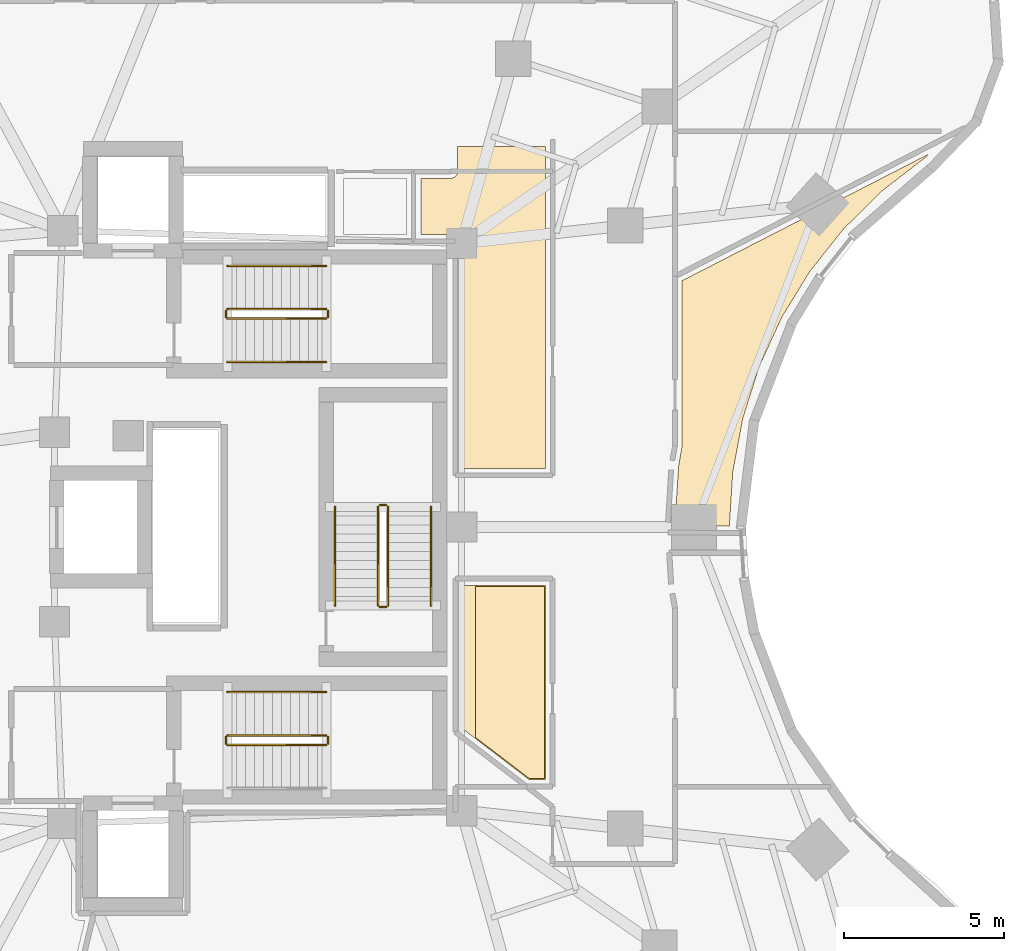
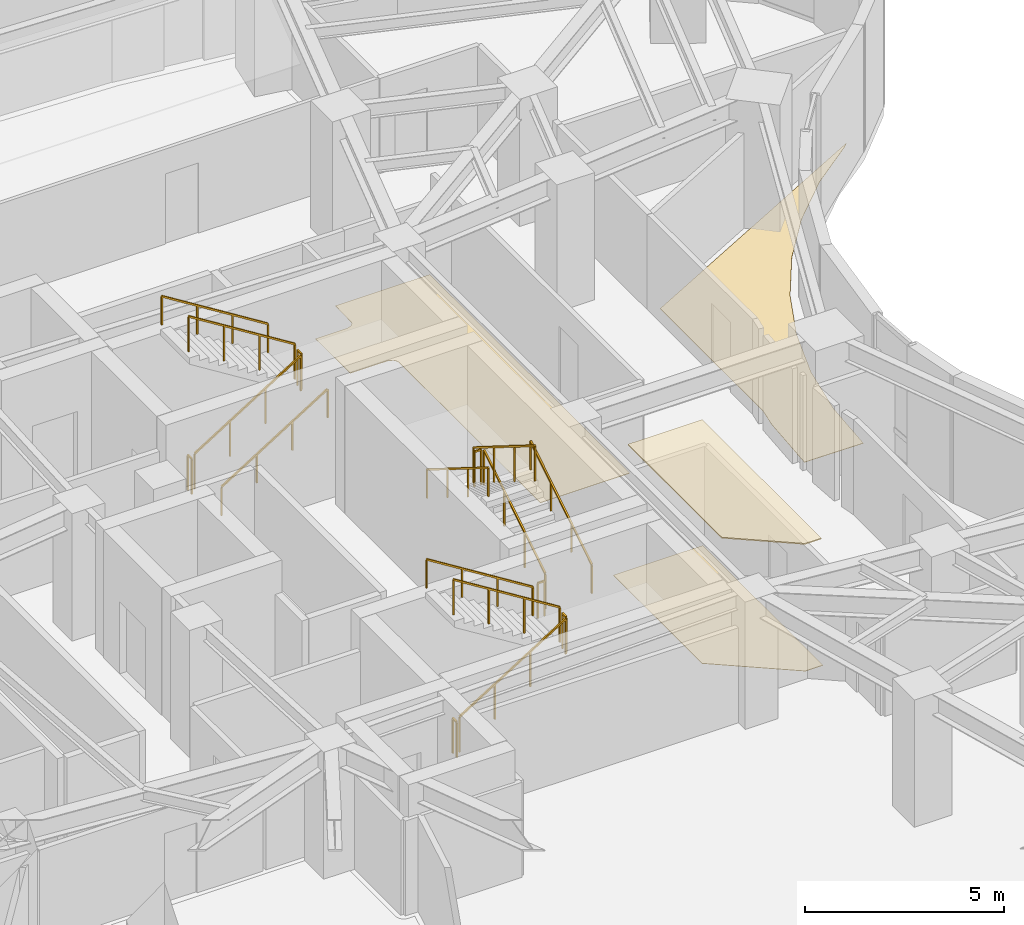
# One storey, part 14 of 15: 17 railings, 4 coverings.
"""IFC4 building model written with IfcOpenShell, lengths in metres."""

from ifc_helpers import new_model, si_unit, direction, frame, origin, origin_2d, place, context, subcontext, project, spatial, polyline, rectangle, outline, extrude, material, layer, layer_set, type_object, element, save


model = new_model("IFC4")

# Units and contexts
model_context = context("Model", 3, precision=1e-05, world=origin(), true_north=direction((0.0, 1.0)))
body_context = subcontext(model_context, "Body", "Model", "MODEL_VIEW")
ifc_project = project(units=[si_unit("LENGTHUNIT", "METRE"), si_unit("AREAUNIT", "SQUARE_METRE"), si_unit("VOLUMEUNIT", "CUBIC_METRE"), si_unit("PLANEANGLEUNIT", "RADIAN"), si_unit("MASSUNIT", "GRAM", prefix="KILO")], contexts=[model_context])

# Site, building, storey
site_placement = place(None, origin())
site = spatial("IfcSite", under=ifc_project, at=site_placement, CompositionType="ELEMENT")
building_placement = place(site_placement, origin())
building = spatial("IfcBuilding", under=site, at=building_placement, Name="Korentha Bioscience Tower", CompositionType="ELEMENT")
storey_placement = place(building_placement, frame((0.0, 0.0, 30.0)))
storey = spatial("IfcBuildingStorey", under=building, at=storey_placement, Name="L06", CompositionType="ELEMENT", Elevation=30.0)

# Railings
ifc_material_1 = material(Name="Stainless Steel 304", Category="steel")
railing_type_1 = type_object("IfcRailingType", Name="Brushed Stainless Stair Handrail 900", PredefinedType="HANDRAIL", material=ifc_material_1)
railing_1_placement = place(storey_placement, frame((30.25, 32.14990234375, 0.175048828125)))
element("IfcRailing", 1, at=railing_1_placement, inside=storey, type_object=railing_type_1, Name="L06 ST-1 stair handrail 1", PredefinedType="HANDRAIL", context=body_context, shape_type="SweptSolid", body=[
    extrude(rectangle(XDim=0.048095703125, YDim=0.048095703125, at=origin_2d()), frame((0.0, 0.0, 0.8759765625), z_axis=(0.847998304005, 0.0, 0.529998940003), x_axis=(0.0, 1.0, 0.0)), (0.0, 0.0, 1.0), 3.632080078125),
    extrude(rectangle(XDim=0.0419921875, YDim=0.0419921875, at=origin_2d()), origin(), (0.0, 0.0, 1.0), 0.851806640625),
    extrude(rectangle(XDim=0.0419921875, YDim=0.0419921875, at=origin_2d()), frame((1.026611328125, 0.0, 0.6416015625)), (0.0, 0.0, 1.0), 0.851806640625),
    extrude(rectangle(XDim=0.0419921875, YDim=0.0419921875, at=origin_2d()), frame((2.053466796875, 0.0, 1.283447265625)), (0.0, 0.0, 1.0), 0.851806640625),
    extrude(rectangle(XDim=0.0419921875, YDim=0.0419921875, at=origin_2d()), frame((3.080078125, 0.0, 1.925048828125)), (0.0, 0.0, 1.0), 0.851806640625),
])
for number, where, name in (
    (2, (33.330078125, 35.14990234375, 2.27490234375), "L06 ST-1 stair handrail 2"),
    (3, (33.330078125, 21.85009765625, 2.27490234375), "L06 ST-2 stair handrail 2"),
):
    element("IfcRailing", number, at=place(storey_placement, frame(where)), inside=storey, type_object=railing_type_1, Name=name, PredefinedType="HANDRAIL", context=body_context, shape_type="SweptSolid", body=[
        extrude(rectangle(XDim=0.048095703125, YDim=0.048095703125, at=origin_2d()), frame((0.0, 0.0, 0.8759765625), z_axis=(-0.847998304005, 0.0, 0.529998940003), x_axis=(0.0, -1.0, 0.0)), (0.0, 0.0, 1.0), 3.632080078125),
        extrude(rectangle(XDim=0.0419921875, YDim=0.0419921875, at=origin_2d()), origin(), (0.0, 0.0, 1.0), 0.851806640625),
        extrude(rectangle(XDim=0.0419921875, YDim=0.0419921875, at=origin_2d()), frame((-1.026611328125, 0.0, 0.6416015625)), (0.0, 0.0, 1.0), 0.851806640625),
        extrude(rectangle(XDim=0.0419921875, YDim=0.0419921875, at=origin_2d()), frame((-2.053466796875, 0.0, 1.283447265625)), (0.0, 0.0, 1.0), 0.851806640625),
        extrude(rectangle(XDim=0.0419921875, YDim=0.0419921875, at=origin_2d()), frame((-3.080078125, 0.0, 1.925048828125)), (0.0, 0.0, 1.0), 0.851806640625),
    ])
railing_2_placement = place(storey_placement, frame((36.60009765625, 24.550048828125, 0.175048828125)))
element("IfcRailing", 4, at=railing_2_placement, inside=storey, type_object=railing_type_1, Name="L06 ST-3 stair handrail 1", PredefinedType="HANDRAIL", context=body_context, shape_type="SweptSolid", body=[
    extrude(rectangle(XDim=0.048095703125, YDim=0.048095703125, at=origin_2d()), frame((0.0, 0.0, 0.8759765625), z_axis=(0.0, 0.847979421464, 0.530029150871), x_axis=(-1.0, 0.0, 0.0)), (0.0, 0.0, 1.0), 3.632080078125),
    extrude(rectangle(XDim=0.0419921875, YDim=0.0419921875, at=origin_2d()), origin(), (0.0, 0.0, 1.0), 0.851806640625),
    extrude(rectangle(XDim=0.0419921875, YDim=0.0419921875, at=origin_2d()), frame((0.0, 1.026611328125, 0.6416015625)), (0.0, 0.0, 1.0), 0.851806640625),
    extrude(rectangle(XDim=0.0419921875, YDim=0.0419921875, at=origin_2d()), frame((0.0, 2.05322265625, 1.283447265625)), (0.0, 0.0, 1.0), 0.851806640625),
    extrude(rectangle(XDim=0.0419921875, YDim=0.0419921875, at=origin_2d()), frame((0.0, 3.079833984375, 1.925048828125)), (0.0, 0.0, 1.0), 0.851806640625),
])
railing_3_placement = place(storey_placement, frame((33.60009765625, 27.6298828125, 2.27490234375)))
element("IfcRailing", 5, at=railing_3_placement, inside=storey, type_object=railing_type_1, Name="L06 ST-3 stair handrail 2", PredefinedType="HANDRAIL", context=body_context, shape_type="SweptSolid", body=[
    extrude(rectangle(XDim=0.048095703125, YDim=0.048095703125, at=origin_2d()), frame((0.0, 0.0, 0.8759765625), z_axis=(0.0, -0.847979421464, 0.530029150871), x_axis=(1.0, 0.0, 0.0)), (0.0, 0.0, 1.0), 3.632080078125),
    extrude(rectangle(XDim=0.0419921875, YDim=0.0419921875, at=origin_2d()), origin(), (0.0, 0.0, 1.0), 0.851806640625),
    extrude(rectangle(XDim=0.0419921875, YDim=0.0419921875, at=origin_2d()), frame((0.0, -1.026611328125, 0.6416015625)), (0.0, 0.0, 1.0), 0.851806640625),
    extrude(rectangle(XDim=0.0419921875, YDim=0.0419921875, at=origin_2d()), frame((0.0, -2.05322265625, 1.283447265625)), (0.0, 0.0, 1.0), 0.851806640625),
    extrude(rectangle(XDim=0.0419921875, YDim=0.0419921875, at=origin_2d()), frame((0.0, -3.079833984375, 1.925048828125)), (0.0, 0.0, 1.0), 0.851806640625),
])

# Covering
ifc_material_2 = material(Name="Antimicrobial Mineral Fibre Board", Category="gypsum")
ifc_layer_1 = layer(ifc_material_2, 0.034912109375, Name="Antimicrobial Mineral Fibre Board")
ifc_layer_set_1 = layer_set([ifc_layer_1], Name="Antimicrobial Mineral Fibre Board (CL-MF35)")
covering_type_1 = type_object("IfcCoveringType", Name="Mineral-Fibre Cleanroom Suspended Ceiling 35", PredefinedType="CEILING", material=ifc_layer_set_1)
covering_1_placement = place(storey_placement, frame((0.0, 0.0, 3.864990234375)))
element("IfcCovering", 6, at=covering_1_placement, inside=storey, type_object=covering_type_1, Name="L06 Terrace View Refreshment Lounge 06 Acoustic Ceiling", PredefinedType="CEILING", context=body_context, shape_type="SweptSolid", body=[
    extrude(outline(polyline([(40.139892578125, 19.152099609375), (39.6640625, 19.152099609375), (37.989990234375, 20.4306640625), (37.989990234375, 25.139892578125), (40.139892578125, 25.139892578125), (40.139892578125, 19.152099609375)])), origin(), (0.0, 0.0, 1.0), 0.034912109375),
])

# Railings
ifc_material_3 = material(Name="Painted Steel S275", Category="steel")
railing_type_2 = type_object("IfcRailingType", Name="Painted Steel Stair Well Guardrail 1100", PredefinedType="GUARDRAIL", material=ifc_material_3)
railing_4_placement = place(storey_placement, frame((30.25, 33.5, 0.175048828125)))
element("IfcRailing", 7, at=railing_4_placement, inside=storey, type_object=railing_type_2, Name="L06 ST-1 stair guard 1", PredefinedType="GUARDRAIL", context=body_context, shape_type="SweptSolid", body=[
    extrude(rectangle(XDim=0.048095703125, YDim=0.048095703125, at=origin_2d()), frame((0.0, 0.0, 1.076171875), z_axis=(0.847998304005, 0.0, 0.529998940003), x_axis=(0.0, 1.0, 0.0)), (0.0, 0.0, 1.0), 3.632080078125),
    extrude(rectangle(XDim=0.0419921875, YDim=0.0419921875, at=origin_2d()), origin(), (0.0, 0.0, 1.0), 1.052001953125),
    extrude(rectangle(XDim=0.0419921875, YDim=0.0419921875, at=origin_2d()), frame((1.026611328125, 0.0, 0.6416015625)), (0.0, 0.0, 1.0), 1.052001953125),
    extrude(rectangle(XDim=0.0419921875, YDim=0.0419921875, at=origin_2d()), frame((2.053466796875, 0.0, 1.283447265625)), (0.0, 0.0, 1.0), 1.052001953125),
    extrude(rectangle(XDim=0.0419921875, YDim=0.0419921875, at=origin_2d()), frame((3.080078125, 0.0, 1.925048828125)), (0.0, 0.0, 1.0), 1.052001953125),
])
railing_5_placement = place(storey_placement, frame((33.3798828125, 33.550048828125, 2.10009765625)))
element("IfcRailing", 8, at=railing_5_placement, inside=storey, type_object=railing_type_2, Name="L06 ST-1 stair guard 2", PredefinedType="GUARDRAIL", context=body_context, shape_type="SweptSolid", body=[
    extrude(rectangle(XDim=0.048095703125, YDim=0.048095703125, at=origin_2d()), frame((0.0, 0.0, 1.076171875), z_axis=(0.0, 1.0, 0.0), x_axis=(-1.0, 0.0, 0.0)), (0.0, 0.0, 1.0), 0.199951171875),
    extrude(rectangle(XDim=0.0419921875, YDim=0.0419921875, at=origin_2d()), origin(), (0.0, 0.0, 1.0), 1.052001953125),
    extrude(rectangle(XDim=0.0419921875, YDim=0.0419921875, at=origin_2d()), frame((0.0, 0.199951171875, 0.0)), (0.0, 0.0, 1.0), 1.052001953125),
])
railing_6_placement = place(storey_placement, frame((33.330078125, 33.800048828125, 2.27490234375)))
element("IfcRailing", 9, at=railing_6_placement, inside=storey, type_object=railing_type_2, Name="L06 ST-1 stair guard 3", PredefinedType="GUARDRAIL", context=body_context, shape_type="SweptSolid", body=[
    extrude(rectangle(XDim=0.048095703125, YDim=0.048095703125, at=origin_2d()), frame((0.0, 0.0, 1.076171875), z_axis=(-0.847998304005, 0.0, 0.529998940003), x_axis=(0.0, -1.0, 0.0)), (0.0, 0.0, 1.0), 3.632080078125),
    extrude(rectangle(XDim=0.0419921875, YDim=0.0419921875, at=origin_2d()), origin(), (0.0, 0.0, 1.0), 1.052001953125),
    extrude(rectangle(XDim=0.0419921875, YDim=0.0419921875, at=origin_2d()), frame((-1.026611328125, 0.0, 0.6416015625)), (0.0, 0.0, 1.0), 1.052001953125),
    extrude(rectangle(XDim=0.0419921875, YDim=0.0419921875, at=origin_2d()), frame((-2.053466796875, 0.0, 1.283447265625)), (0.0, 0.0, 1.0), 1.052001953125),
    extrude(rectangle(XDim=0.0419921875, YDim=0.0419921875, at=origin_2d()), frame((-3.080078125, 0.0, 1.925048828125)), (0.0, 0.0, 1.0), 1.052001953125),
])
railing_7_placement = place(storey_placement, frame((30.199951171875, 33.550048828125, 0.0)))
element("IfcRailing", 10, at=railing_7_placement, inside=storey, type_object=railing_type_2, Name="L06 ST-1 stair guard 4", PredefinedType="GUARDRAIL", context=body_context, shape_type="SweptSolid", body=[
    extrude(rectangle(XDim=0.048095703125, YDim=0.048095703125, at=origin_2d()), frame((0.0, 0.0, 1.076171875), z_axis=(0.0, 1.0, 0.0), x_axis=(-1.0, 0.0, 0.0)), (0.0, 0.0, 1.0), 0.199951171875),
    extrude(rectangle(XDim=0.0419921875, YDim=0.0419921875, at=origin_2d()), origin(), (0.0, 0.0, 1.0), 1.052001953125),
    extrude(rectangle(XDim=0.0419921875, YDim=0.0419921875, at=origin_2d()), frame((0.0, 0.199951171875, 0.0)), (0.0, 0.0, 1.0), 1.052001953125),
])
railing_8_placement = place(storey_placement, frame((30.25, 20.199951171875, 0.175048828125)))
element("IfcRailing", 11, at=railing_8_placement, inside=storey, type_object=railing_type_2, Name="L06 ST-2 stair guard 1", PredefinedType="GUARDRAIL", context=body_context, shape_type="SweptSolid", body=[
    extrude(rectangle(XDim=0.048095703125, YDim=0.048095703125, at=origin_2d()), frame((0.0, 0.0, 1.076171875), z_axis=(0.847998304005, 0.0, 0.529998940003), x_axis=(0.0, 1.0, 0.0)), (0.0, 0.0, 1.0), 3.632080078125),
    extrude(rectangle(XDim=0.0419921875, YDim=0.0419921875, at=origin_2d()), origin(), (0.0, 0.0, 1.0), 1.052001953125),
    extrude(rectangle(XDim=0.0419921875, YDim=0.0419921875, at=origin_2d()), frame((1.026611328125, 0.0, 0.6416015625)), (0.0, 0.0, 1.0), 1.052001953125),
    extrude(rectangle(XDim=0.0419921875, YDim=0.0419921875, at=origin_2d()), frame((2.053466796875, 0.0, 1.283447265625)), (0.0, 0.0, 1.0), 1.052001953125),
    extrude(rectangle(XDim=0.0419921875, YDim=0.0419921875, at=origin_2d()), frame((3.080078125, 0.0, 1.925048828125)), (0.0, 0.0, 1.0), 1.052001953125),
])
railing_9_placement = place(storey_placement, frame((33.3798828125, 20.25, 2.10009765625)))
element("IfcRailing", 12, at=railing_9_placement, inside=storey, type_object=railing_type_2, Name="L06 ST-2 stair guard 2", PredefinedType="GUARDRAIL", context=body_context, shape_type="SweptSolid", body=[
    extrude(rectangle(XDim=0.048095703125, YDim=0.048095703125, at=origin_2d()), frame((0.0, 0.0, 1.076171875), z_axis=(0.0, 1.0, 0.0), x_axis=(-1.0, 0.0, 0.0)), (0.0, 0.0, 1.0), 0.199951171875),
    extrude(rectangle(XDim=0.0419921875, YDim=0.0419921875, at=origin_2d()), origin(), (0.0, 0.0, 1.0), 1.052001953125),
    extrude(rectangle(XDim=0.0419921875, YDim=0.0419921875, at=origin_2d()), frame((0.0, 0.199951171875, 0.0)), (0.0, 0.0, 1.0), 1.052001953125),
])
railing_10_placement = place(storey_placement, frame((33.330078125, 20.5, 2.27490234375)))
element("IfcRailing", 13, at=railing_10_placement, inside=storey, type_object=railing_type_2, Name="L06 ST-2 stair guard 3", PredefinedType="GUARDRAIL", context=body_context, shape_type="SweptSolid", body=[
    extrude(rectangle(XDim=0.048095703125, YDim=0.048095703125, at=origin_2d()), frame((0.0, 0.0, 1.076171875), z_axis=(-0.847998304005, 0.0, 0.529998940003), x_axis=(0.0, -1.0, 0.0)), (0.0, 0.0, 1.0), 3.632080078125),
    extrude(rectangle(XDim=0.0419921875, YDim=0.0419921875, at=origin_2d()), origin(), (0.0, 0.0, 1.0), 1.052001953125),
    extrude(rectangle(XDim=0.0419921875, YDim=0.0419921875, at=origin_2d()), frame((-1.026611328125, 0.0, 0.6416015625)), (0.0, 0.0, 1.0), 1.052001953125),
    extrude(rectangle(XDim=0.0419921875, YDim=0.0419921875, at=origin_2d()), frame((-2.053466796875, 0.0, 1.283447265625)), (0.0, 0.0, 1.0), 1.052001953125),
    extrude(rectangle(XDim=0.0419921875, YDim=0.0419921875, at=origin_2d()), frame((-3.080078125, 0.0, 1.925048828125)), (0.0, 0.0, 1.0), 1.052001953125),
])
railing_11_placement = place(storey_placement, frame((30.199951171875, 20.25, 0.0)))
element("IfcRailing", 14, at=railing_11_placement, inside=storey, type_object=railing_type_2, Name="L06 ST-2 stair guard 4", PredefinedType="GUARDRAIL", context=body_context, shape_type="SweptSolid", body=[
    extrude(rectangle(XDim=0.048095703125, YDim=0.048095703125, at=origin_2d()), frame((0.0, 0.0, 1.076171875), z_axis=(0.0, 1.0, 0.0), x_axis=(-1.0, 0.0, 0.0)), (0.0, 0.0, 1.0), 0.199951171875),
    extrude(rectangle(XDim=0.0419921875, YDim=0.0419921875, at=origin_2d()), origin(), (0.0, 0.0, 1.0), 1.052001953125),
    extrude(rectangle(XDim=0.0419921875, YDim=0.0419921875, at=origin_2d()), frame((0.0, 0.199951171875, 0.0)), (0.0, 0.0, 1.0), 1.052001953125),
])
railing_12_placement = place(storey_placement, frame((35.25, 24.550048828125, 0.175048828125)))
element("IfcRailing", 15, at=railing_12_placement, inside=storey, type_object=railing_type_2, Name="L06 ST-3 stair guard 1", PredefinedType="GUARDRAIL", context=body_context, shape_type="SweptSolid", body=[
    extrude(rectangle(XDim=0.048095703125, YDim=0.048095703125, at=origin_2d()), frame((0.0, 0.0, 1.076171875), z_axis=(0.0, 0.847979421464, 0.530029150871), x_axis=(-1.0, 0.0, 0.0)), (0.0, 0.0, 1.0), 3.632080078125),
    extrude(rectangle(XDim=0.0419921875, YDim=0.0419921875, at=origin_2d()), origin(), (0.0, 0.0, 1.0), 1.052001953125),
    extrude(rectangle(XDim=0.0419921875, YDim=0.0419921875, at=origin_2d()), frame((0.0, 1.026611328125, 0.6416015625)), (0.0, 0.0, 1.0), 1.052001953125),
    extrude(rectangle(XDim=0.0419921875, YDim=0.0419921875, at=origin_2d()), frame((0.0, 2.05322265625, 1.283447265625)), (0.0, 0.0, 1.0), 1.052001953125),
    extrude(rectangle(XDim=0.0419921875, YDim=0.0419921875, at=origin_2d()), frame((0.0, 3.079833984375, 1.925048828125)), (0.0, 0.0, 1.0), 1.052001953125),
])
railing_13_placement = place(storey_placement, frame((35.199951171875, 27.679931640625, 2.10009765625)))
element("IfcRailing", 16, at=railing_13_placement, inside=storey, type_object=railing_type_2, Name="L06 ST-3 stair guard 2", PredefinedType="GUARDRAIL", context=body_context, shape_type="SweptSolid", body=[
    extrude(rectangle(XDim=0.048095703125, YDim=0.048095703125, at=origin_2d()), frame((0.0, 0.0, 1.076171875), z_axis=(-1.0, 0.0, 0.0), x_axis=(0.0, -1.0, 0.0)), (0.0, 0.0, 1.0), 0.199951171875),
    extrude(rectangle(XDim=0.0419921875, YDim=0.0419921875, at=origin_2d()), origin(), (0.0, 0.0, 1.0), 1.052001953125),
    extrude(rectangle(XDim=0.0419921875, YDim=0.0419921875, at=origin_2d()), frame((-0.199951171875, 0.0, 0.0)), (0.0, 0.0, 1.0), 1.052001953125),
])
railing_14_placement = place(storey_placement, frame((34.949951171875, 27.6298828125, 2.27490234375)))
element("IfcRailing", 17, at=railing_14_placement, inside=storey, type_object=railing_type_2, Name="L06 ST-3 stair guard 3", PredefinedType="GUARDRAIL", context=body_context, shape_type="SweptSolid", body=[
    extrude(rectangle(XDim=0.048095703125, YDim=0.048095703125, at=origin_2d()), frame((0.0, 0.0, 1.076171875), z_axis=(0.0, -0.847979421464, 0.530029150871), x_axis=(1.0, 0.0, 0.0)), (0.0, 0.0, 1.0), 3.632080078125),
    extrude(rectangle(XDim=0.0419921875, YDim=0.0419921875, at=origin_2d()), origin(), (0.0, 0.0, 1.0), 1.052001953125),
    extrude(rectangle(XDim=0.0419921875, YDim=0.0419921875, at=origin_2d()), frame((0.0, -1.026611328125, 0.6416015625)), (0.0, 0.0, 1.0), 1.052001953125),
    extrude(rectangle(XDim=0.0419921875, YDim=0.0419921875, at=origin_2d()), frame((0.0, -2.05322265625, 1.283447265625)), (0.0, 0.0, 1.0), 1.052001953125),
    extrude(rectangle(XDim=0.0419921875, YDim=0.0419921875, at=origin_2d()), frame((0.0, -3.079833984375, 1.925048828125)), (0.0, 0.0, 1.0), 1.052001953125),
])
railing_15_placement = place(storey_placement, frame((35.199951171875, 24.5, 0.0)))
element("IfcRailing", 18, at=railing_15_placement, inside=storey, type_object=railing_type_2, Name="L06 ST-3 stair guard 4", PredefinedType="GUARDRAIL", context=body_context, shape_type="SweptSolid", body=[
    extrude(rectangle(XDim=0.048095703125, YDim=0.048095703125, at=origin_2d()), frame((0.0, 0.0, 1.076171875), z_axis=(-1.0, 0.0, 0.0), x_axis=(0.0, -1.0, 0.0)), (0.0, 0.0, 1.0), 0.199951171875),
    extrude(rectangle(XDim=0.0419921875, YDim=0.0419921875, at=origin_2d()), origin(), (0.0, 0.0, 1.0), 1.052001953125),
    extrude(rectangle(XDim=0.0419921875, YDim=0.0419921875, at=origin_2d()), frame((-0.199951171875, 0.0, 0.0)), (0.0, 0.0, 1.0), 1.052001953125),
])

# Coverings
ifc_material_4 = material(Name="Chemical-Resistant Epoxy Resin", Category="polymer")
ifc_layer_2 = layer(ifc_material_4, 0.011962890625, Name="Chemical-Resistant Epoxy Resin")
ifc_layer_set_2 = layer_set([ifc_layer_2], Name="Chemical-Resistant Epoxy Resin (FL-EPX)")
covering_type_2 = type_object("IfcCoveringType", Name="Seamless Epoxy Laboratory Flooring 12", PredefinedType="FLOORING", material=ifc_layer_set_2)
covering_2_placement = place(storey_placement, origin())
element("IfcCovering", 19, at=covering_2_placement, inside=storey, type_object=covering_type_2, Name="L06 Terrace View Refreshment Lounge 06 Floor Finish", PredefinedType="FLOORING", context=body_context, shape_type="SweptSolid", body=[
    extrude(outline(polyline([(37.580078125, 20.7060546875), (37.580078125, 25.169921875), (40.169921875, 25.169921875), (40.169921875, 19.1220703125), (39.654052734375, 19.1220703125), (37.580078125, 20.7060546875)])), origin(), (0.0, 0.0, 1.0), 0.011962890625),
])
covering_3_placement = place(storey_placement, origin())
element("IfcCovering", 20, at=covering_3_placement, inside=storey, type_object=covering_type_2, Name="L06 Engineered Bio-Foundry Wet Lab 08 Floor Finish", PredefinedType="FLOORING", context=body_context, shape_type="SweptSolid", body=[
    extrude(outline(polyline([(44.20751953125, 27.051025390625), (44.321044921875, 28.889892578125), (44.4296875, 29.51953125), (44.429931640625, 34.68408203125), (52.106201171875, 38.62451171875), (51.98876953125, 38.5029296875), (50.681884765625, 37.4970703125), (49.470947265625, 36.303955078125), (48.414306640625, 34.97216796875), (47.54443359375, 33.552490234375), (46.83740234375, 32.006591796875), (46.32421875, 30.3857421875), (46.01220703125, 28.714599609375), (45.90673828125, 27.031982421875), (44.20751953125, 27.051025390625)])), origin(), (0.0, 0.0, 1.0), 0.011962890625),
])
covering_4_placement = place(storey_placement, origin())
element("IfcCovering", 21, at=covering_4_placement, inside=storey, type_object=covering_type_2, Name="L06 Microfluidics Biochip Cleanroom 10 Floor Finish", PredefinedType="FLOORING", context=body_context, shape_type="SweptSolid", body=[
    extrude(outline(polyline([(37.199951171875, 37.8701171875), (37.33740234375, 37.91552734375), (37.39697265625, 37.981201171875), (37.423095703125, 38.044677734375), (37.429931640625, 38.8701171875), (40.169921875, 38.8701171875), (40.169921875, 28.830078125), (37.580078125, 28.830078125), (37.577392578125, 35.93408203125), (37.5576171875, 35.998779296875), (37.5048828125, 36.070068359375), (37.38427734375, 36.12744140625), (36.280029296875, 36.1298828125), (36.280029296875, 37.8701171875), (37.199951171875, 37.8701171875)])), origin(), (0.0, 0.0, 1.0), 0.011962890625),
])

save(model, "model.ifc")
